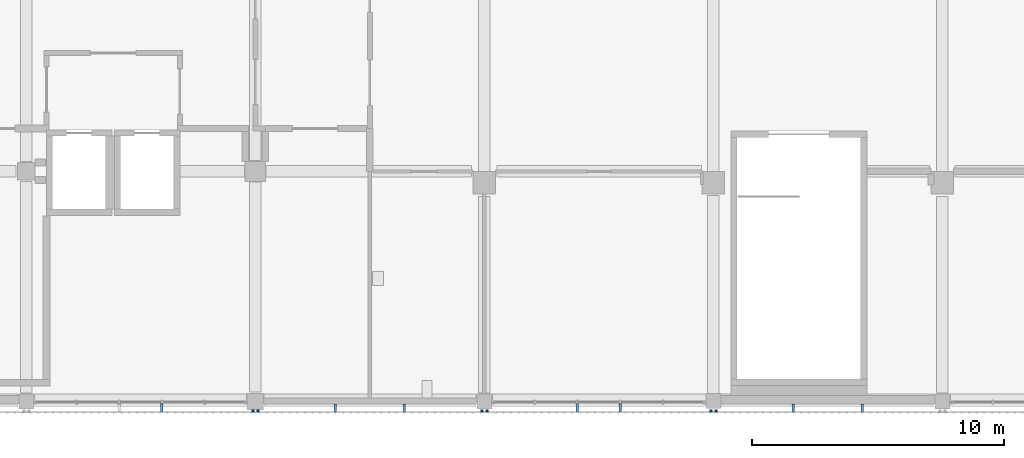
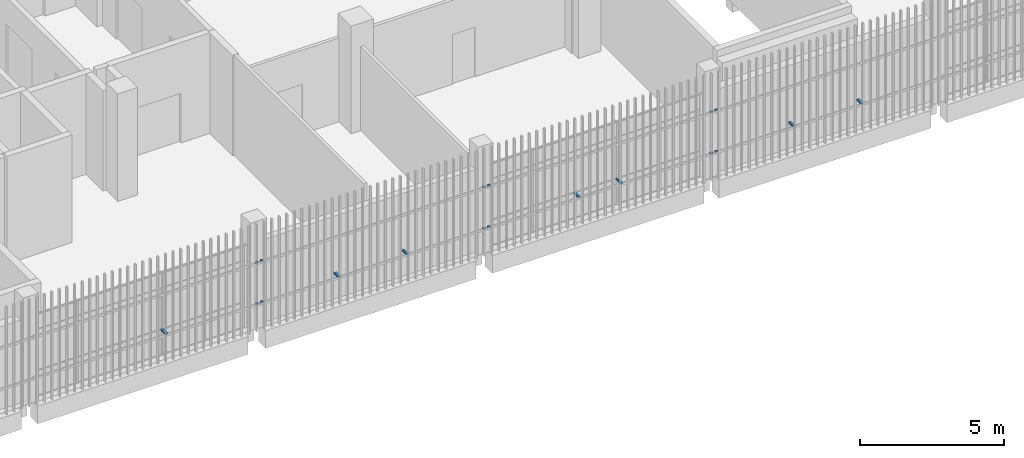
# One storey, part 75 of 104: 19 discrete accessories.
"""IFC4 building model written with IfcOpenShell, lengths in metres."""

from ifc_helpers import new_model, si_unit, direction, frame, origin, origin_2d, place, context, subcontext, project, spatial, rectangle, extrude, material, type_object, element, save


model = new_model("IFC4")

# Units and contexts
model_context = context("Model", 3, precision=1e-05, world=origin(), true_north=direction((0.0, 1.0)))
body_context = subcontext(model_context, "Body", "Model", "MODEL_VIEW")
ifc_project = project(units=[si_unit("LENGTHUNIT", "METRE"), si_unit("AREAUNIT", "SQUARE_METRE"), si_unit("VOLUMEUNIT", "CUBIC_METRE"), si_unit("PLANEANGLEUNIT", "RADIAN"), si_unit("MASSUNIT", "GRAM", prefix="KILO")], contexts=[model_context])

# Site, building, storey
site_placement = place(None, origin())
site = spatial("IfcSite", under=ifc_project, at=site_placement, CompositionType="ELEMENT")
building_placement = place(site_placement, origin())
building = spatial("IfcBuilding", under=site, at=building_placement, Name="Shirokan Park Arena", CompositionType="ELEMENT")
storey_placement = place(building_placement, frame((0.0, 0.0, 10.919921875)))
storey = spatial("IfcBuildingStorey", under=building, at=storey_placement, Name="L02", CompositionType="ELEMENT", Elevation=10.919921875)

# Discrete accessories
ifc_material = material(Name="Steel S355", Category="steel")
discrete_accessory_type = type_object("IfcDiscreteAccessoryType", Name="Veil bracket 100x60", PredefinedType="BRACKET", material=ifc_material)
for number, where, z_axis, x_axis, name in (
    (1, (36.300048828125, -0.409912109375, 1.070068359375), (0.0, 0.0, 1.0), (1.0, 0.0, 0.0), "Veil bracket south bay 4 L02 2"),
    (2, (36.300048828125, -0.409912109375, 2.820068359375), (0.0, 0.0, 1.0), (1.0, 0.0, 0.0), "Veil bracket south bay 4 L02 4"),
):
    element("IfcDiscreteAccessory", number, at=place(storey_placement, frame(where, z_axis=z_axis, x_axis=x_axis)), inside=storey, type_object=discrete_accessory_type, Name=name, PredefinedType="BRACKET", context=body_context, shape_type="SweptSolid", body=[
        extrude(rectangle(XDim=0.10009765625, YDim=0.070068359375, at=origin_2d()), origin(), (0.0, 0.0, 1.0), 0.06005859375),
    ])
discrete_accessory_placement = place(storey_placement, frame((32.68505859375, -0.2724609375, 1.070068359375), z_axis=(0.0, 0.0, 1.0), x_axis=(1.0, 0.0, 0.0)))
element("IfcDiscreteAccessory", 3, at=discrete_accessory_placement, inside=storey, type_object=discrete_accessory_type, Name="Veil bracket south bay 4 L02 wall 2", PredefinedType="BRACKET", context=body_context, shape_type="SweptSolid", body=[
    extrude(rectangle(XDim=0.10009765625, YDim=0.344970703125, at=origin_2d()), origin(), (0.0, 0.0, 1.0), 0.06005859375),
])
for number, where, z_axis, x_axis, name in (
    (4, (36.5, -0.409912109375, 1.070068359375), (0.0, 0.0, 1.0), (1.0, 0.0, 0.0), "Veil bracket south bay 5 L02 1"),
    (5, (45.39990234375, -0.409912109375, 1.070068359375), (0.0, 0.0, 1.0), (1.0, 0.0, 0.0), "Veil bracket south bay 5 L02 2"),
    (6, (36.5, -0.409912109375, 2.820068359375), (0.0, 0.0, 1.0), (1.0, 0.0, 0.0), "Veil bracket south bay 5 L02 3"),
    (7, (45.39990234375, -0.409912109375, 2.820068359375), (0.0, 0.0, 1.0), (1.0, 0.0, 0.0), "Veil bracket south bay 5 L02 4"),
):
    element("IfcDiscreteAccessory", number, at=place(storey_placement, frame(where, z_axis=z_axis, x_axis=x_axis)), inside=storey, type_object=discrete_accessory_type, Name=name, PredefinedType="BRACKET", context=body_context, shape_type="SweptSolid", body=[
        extrude(rectangle(XDim=0.10009765625, YDim=0.070068359375, at=origin_2d()), origin(), (0.0, 0.0, 1.0), 0.06005859375),
    ])
for number, where, z_axis, x_axis, name in (
    (8, (39.5849609375, -0.297607421875, 1.070068359375), (0.0, 0.0, 1.0), (1.0, 0.0, 0.0), "Veil bracket south bay 5 L02 wall 1"),
    (9, (42.31494140625, -0.297607421875, 1.070068359375), (0.0, 0.0, 1.0), (1.0, 0.0, 0.0), "Veil bracket south bay 5 L02 wall 2"),
):
    element("IfcDiscreteAccessory", number, at=place(storey_placement, frame(where, z_axis=z_axis, x_axis=x_axis)), inside=storey, type_object=discrete_accessory_type, Name=name, PredefinedType="BRACKET", context=body_context, shape_type="SweptSolid", body=[
        extrude(rectangle(XDim=0.10009765625, YDim=0.294921875, at=origin_2d()), origin(), (0.0, 0.0, 1.0), 0.06005859375),
    ])
for number, where, z_axis, x_axis, name in (
    (10, (45.60009765625, -0.409912109375, 1.070068359375), (0.0, 0.0, 1.0), (1.0, 0.0, 0.0), "Veil bracket south bay 6 L02 1"),
    (11, (54.5, -0.409912109375, 1.070068359375), (0.0, 0.0, 1.0), (1.0, 0.0, 0.0), "Veil bracket south bay 6 L02 2"),
    (12, (45.60009765625, -0.409912109375, 2.820068359375), (0.0, 0.0, 1.0), (1.0, 0.0, 0.0), "Veil bracket south bay 6 L02 3"),
    (13, (54.5, -0.409912109375, 2.820068359375), (0.0, 0.0, 1.0), (1.0, 0.0, 0.0), "Veil bracket south bay 6 L02 4"),
):
    element("IfcDiscreteAccessory", number, at=place(storey_placement, frame(where, z_axis=z_axis, x_axis=x_axis)), inside=storey, type_object=discrete_accessory_type, Name=name, PredefinedType="BRACKET", context=body_context, shape_type="SweptSolid", body=[
        extrude(rectangle(XDim=0.10009765625, YDim=0.070068359375, at=origin_2d()), origin(), (0.0, 0.0, 1.0), 0.06005859375),
    ])
for number, where, z_axis, x_axis, name in (
    (14, (49.199951171875, -0.2724609375, 1.070068359375), (0.0, 0.0, 1.0), (1.0, 0.0, 0.0), "Veil bracket south bay 6 L02 wall 1"),
    (15, (50.89990234375, -0.2724609375, 1.070068359375), (0.0, 0.0, 1.0), (1.0, 0.0, 0.0), "Veil bracket south bay 6 L02 wall 2"),
):
    element("IfcDiscreteAccessory", number, at=place(storey_placement, frame(where, z_axis=z_axis, x_axis=x_axis)), inside=storey, type_object=discrete_accessory_type, Name=name, PredefinedType="BRACKET", context=body_context, shape_type="SweptSolid", body=[
        extrude(rectangle(XDim=0.10009765625, YDim=0.344970703125, at=origin_2d()), origin(), (0.0, 0.0, 1.0), 0.06005859375),
    ])
for number, where, z_axis, x_axis, name in (
    (16, (54.699951171875, -0.409912109375, 1.070068359375), (0.0, 0.0, 1.0), (1.0, 0.0, 0.0), "Veil bracket south bay 7 L02 1"),
    (17, (54.699951171875, -0.409912109375, 2.820068359375), (0.0, 0.0, 1.0), (1.0, 0.0, 0.0), "Veil bracket south bay 7 L02 3"),
):
    element("IfcDiscreteAccessory", number, at=place(storey_placement, frame(where, z_axis=z_axis, x_axis=x_axis)), inside=storey, type_object=discrete_accessory_type, Name=name, PredefinedType="BRACKET", context=body_context, shape_type="SweptSolid", body=[
        extrude(rectangle(XDim=0.10009765625, YDim=0.070068359375, at=origin_2d()), origin(), (0.0, 0.0, 1.0), 0.06005859375),
    ])
for number, where, z_axis, x_axis, name in (
    (18, (57.784912109375, -0.297607421875, 1.070068359375), (0.0, 0.0, 1.0), (1.0, 0.0, 0.0), "Veil bracket south bay 7 L02 wall 1"),
    (19, (60.514892578125, -0.297607421875, 1.070068359375), (0.0, 0.0, 1.0), (1.0, 0.0, 0.0), "Veil bracket south bay 7 L02 wall 2"),
):
    element("IfcDiscreteAccessory", number, at=place(storey_placement, frame(where, z_axis=z_axis, x_axis=x_axis)), inside=storey, type_object=discrete_accessory_type, Name=name, PredefinedType="BRACKET", context=body_context, shape_type="SweptSolid", body=[
        extrude(rectangle(XDim=0.10009765625, YDim=0.294921875, at=origin_2d()), origin(), (0.0, 0.0, 1.0), 0.06005859375),
    ])

save(model, "model.ifc")
